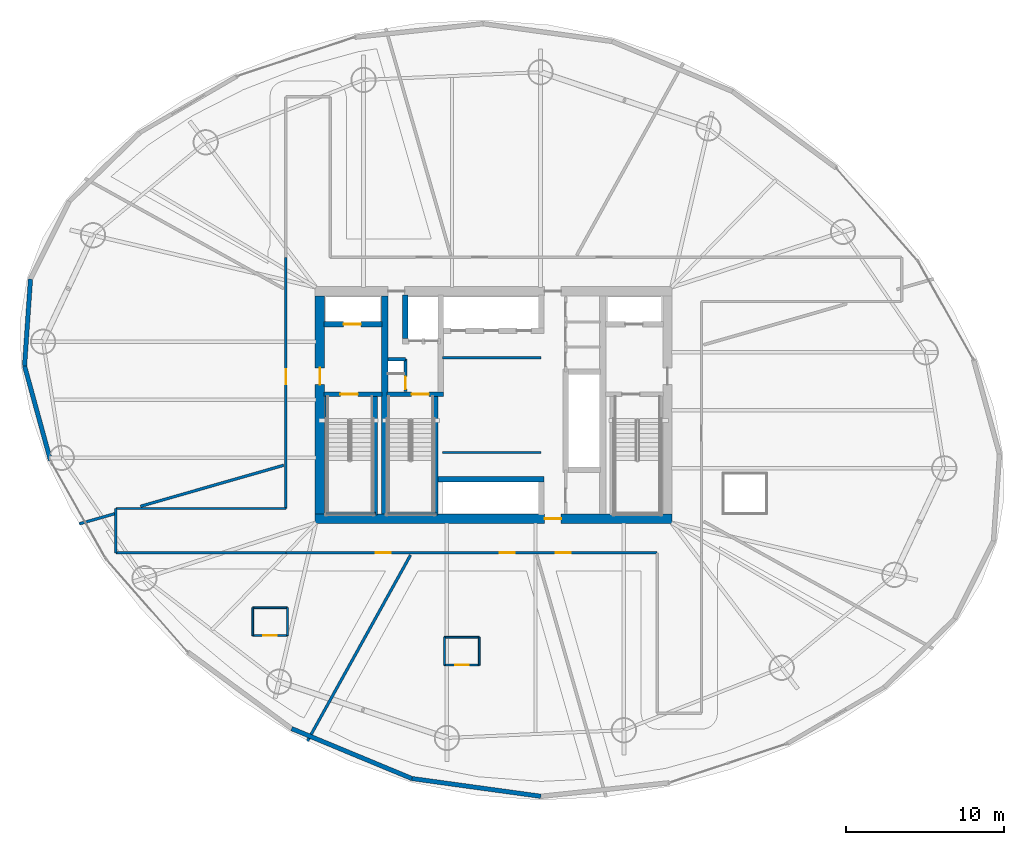
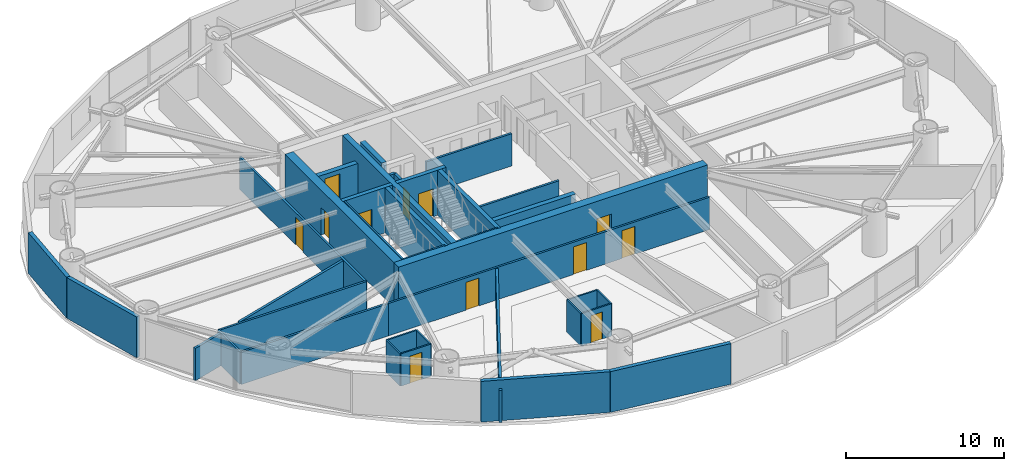
# One storey, part 18 of 25: 37 walls, 12 doors, 12 openings.
"""IFC4 building model written with IfcOpenShell, lengths in metres."""

from ifc_helpers import new_model, si_unit, direction, frame, frame_2d, origin, place, context, subcontext, project, spatial, rectangle, extrude, material, layer, layer_set, type_object, element, fill, save


model = new_model("IFC4")

# Units and contexts
model_context = context("Model", 3, precision=1e-05, world=origin(), true_north=direction((0.0, 1.0)))
body_context = subcontext(model_context, "Body", "Model", "MODEL_VIEW")
ifc_project = project(units=[si_unit("LENGTHUNIT", "METRE"), si_unit("AREAUNIT", "SQUARE_METRE"), si_unit("VOLUMEUNIT", "CUBIC_METRE"), si_unit("PLANEANGLEUNIT", "RADIAN"), si_unit("MASSUNIT", "GRAM", prefix="KILO")], contexts=[model_context])

# Site, building, storey
site_placement = place(None, origin())
site = spatial("IfcSite", under=ifc_project, at=site_placement, CompositionType="ELEMENT")
building_placement = place(site_placement, origin())
building = spatial("IfcBuilding", under=site, at=building_placement, Name="Bramvorn Convention Spire", CompositionType="ELEMENT")
storey_placement = place(building_placement, frame((0.0, 0.0, 93.89990234375)))
storey = spatial("IfcBuildingStorey", under=building, at=storey_placement, Name="L22", CompositionType="ELEMENT", Elevation=93.89990234375)

# Wall, opening, door
ifc_material_1 = material(Name="Concrete C60/70", Category="concrete")
ifc_layer_1 = layer(ifc_material_1, 0.60009765625)
ifc_layer_set_1 = layer_set([ifc_layer_1], Name="Concrete C60/70 - WL-CORE-600")
wall_type_1 = type_object("IfcWallType", Name="WL-CORE-600", PredefinedType="SHEAR", material=ifc_layer_set_1)
wall_1_placement = place(storey_placement, frame((26.699951171875, 18.800048828125, 0.0), z_axis=(0.0, 0.0, 1.0), x_axis=(1.0, 0.0, 0.0)))
wall_1 = element("IfcWall", 1, at=wall_1_placement, inside=storey, type_object=wall_type_1, Name="L22 South RC core shear wall", PredefinedType="SHEAR", context=body_context, shape_type="SweptSolid", body=[
    extrude(rectangle(XDim=22.60009765625, YDim=0.60009765625, at=frame_2d((11.300048828125, 0.0))), origin(), (0.0, 0.0, 1.0), 3.5),
])
opening_1_placement = place(wall_1_placement, frame((14.52001953125, 0.0, 0.0)))
opening_1 = element("IfcOpeningElement", 2, at=opening_1_placement, cuts=wall_1, Name="Opening DL-105", PredefinedType="OPENING", context=body_context, shape_type="SweptSolid", body=[
    extrude(rectangle(XDim=1.050048828125, YDim=2.14990234375, at=frame_2d((0.52490234375, 1.074951171875))), frame((0.0, 0.31005859375, 0.0), z_axis=(0.0, -1.0, 0.0), x_axis=(1.0, 0.0, 0.0)), (0.0, 0.0, 1.0), 0.6201171875),
])
ifc_material_2 = material(Name="Smoke-Sealed Fire Lobby Timber-Core Door", Category="wood")
door_type_1 = type_object("IfcDoorType", Name="DR-LOBBY-1050", OperationType="NOTDEFINED", PredefinedType="DOOR", material=ifc_material_2)
door_1_placement = place(opening_1_placement, origin())
door_1 = element("IfcDoor", 3, at=door_1_placement, inside=storey, type_object=door_type_1, Name="L22 South Lift Lobby fire door", OperationType="SINGLE_SWING_RIGHT", OverallHeight=2.14990234375, OverallWidth=1.050048828125, PredefinedType="DOOR", context=body_context, shape_type="SweptSolid", body=[
    extrude(rectangle(XDim=1.050048828125, YDim=2.14990234375, at=frame_2d((0.52490234375, 1.074951171875))), frame((0.0, 0.02490234375, 0.0), z_axis=(0.0, -1.0, 0.0), x_axis=(1.0, 0.0, 0.0)), (0.0, 0.0, 1.0), 0.050048828125),
])
fill(opening_1, door_1)

wall_2_placement = place(storey_placement, frame((27.0, 19.10009765625, 0.0), z_axis=(0.0, 0.0, 1.0), x_axis=(0.0, 1.0, 0.0)))
wall_2 = element("IfcWall", 4, at=wall_2_placement, inside=storey, type_object=wall_type_1, Name="L22 West RC core shear wall", PredefinedType="SHEAR", context=body_context, shape_type="SweptSolid", body=[
    extrude(rectangle(XDim=13.7998046875, YDim=0.60009765625, at=frame_2d((6.89990234375, 0.0))), origin(), (0.0, 0.0, 1.0), 3.5),
])
opening_2_placement = place(wall_2_placement, frame((8.199951171875, 0.0, 0.0)))
opening_2 = element("IfcOpeningElement", 5, at=opening_2_placement, cuts=wall_2, Name="Opening DL-105", PredefinedType="OPENING", context=body_context, shape_type="SweptSolid", body=[
    extrude(rectangle(XDim=1.050048828125, YDim=2.14990234375, at=frame_2d((0.52490234375, 1.074951171875))), frame((0.0, 0.31005859375, 0.0), z_axis=(0.0, -1.0, 0.0), x_axis=(1.0, 0.0, 0.0)), (0.0, 0.0, 1.0), 0.6201171875),
])
door_2_placement = place(opening_2_placement, origin())
door_2 = element("IfcDoor", 6, at=door_2_placement, inside=storey, type_object=door_type_1, Name="L22 West Firefighting Lobby corridor door", OperationType="SINGLE_SWING_RIGHT", OverallHeight=2.14990234375, OverallWidth=1.050048828125, PredefinedType="DOOR", context=body_context, shape_type="SweptSolid", body=[
    extrude(rectangle(XDim=1.050048828125, YDim=2.14990234375, at=frame_2d((0.52490234375, 1.074951171875))), frame((0.0, 0.02490234375, 0.0), z_axis=(0.0, -1.0, 0.0), x_axis=(1.0, 0.0, 0.0)), (0.0, 0.0, 1.0), 0.050048828125),
])
fill(opening_2, door_2)

ifc_material_3 = material(Name="Concrete C50/60", Category="concrete")
ifc_layer_2 = layer(ifc_material_3, 0.35009765625)
ifc_layer_set_2 = layer_set([ifc_layer_2], Name="Concrete C50/60 - WL-CORE-INT-350")
wall_type_2 = type_object("IfcWallType", Name="WL-CORE-INT-350", PredefinedType="SHEAR", material=ifc_layer_set_2)
wall_3_placement = place(storey_placement, frame((27.25, 31.1201171875, 0.0), z_axis=(0.0, 0.0, 1.0), x_axis=(1.0, 0.0, 0.0)))
wall_3 = element("IfcWall", 7, at=wall_3_placement, inside=storey, type_object=wall_type_2, Name="L22 FE1 shaft front wall", PredefinedType="SHEAR", context=body_context, shape_type="SweptSolid", body=[
    extrude(rectangle(XDim=3.669921875, YDim=0.35009765625, at=frame_2d((1.8349609375, 0.0))), origin(), (0.0, 0.0, 1.0), 2.5),
])
opening_3_placement = place(wall_3_placement, frame((1.25, 0.0, 0.0)))
opening_3 = element("IfcOpeningElement", 8, at=opening_3_placement, cuts=wall_3, Name="Opening LD-110", PredefinedType="OPENING", context=body_context, shape_type="SweptSolid", body=[
    extrude(rectangle(XDim=1.10009765625, YDim=2.14990234375, at=frame_2d((0.550048828125, 1.074951171875))), frame((0.0, 0.18505859375, 0.0), z_axis=(0.0, -1.0, 0.0), x_axis=(1.0, 0.0, 0.0)), (0.0, 0.0, 1.0), 0.3701171875),
])
ifc_material_4 = material(Name="Firefighting & Service Lift Sliding Landing Door", Category="steel")
door_type_2 = type_object("IfcDoorType", Name="DR-LIFT-LD-1100", OperationType="NOTDEFINED", PredefinedType="DOOR", material=ifc_material_4)
door_3_placement = place(opening_3_placement, origin())
door_3 = element("IfcDoor", 9, at=door_3_placement, inside=storey, type_object=door_type_2, Name="L22 Lift FE1 Sliding Landing Door", OperationType="SLIDING_TO_LEFT", OverallHeight=2.14990234375, OverallWidth=1.10009765625, PredefinedType="DOOR", context=body_context, shape_type="SweptSolid", body=[
    extrude(rectangle(XDim=1.10009765625, YDim=2.14990234375, at=frame_2d((0.550048828125, 1.074951171875))), frame((0.0, 0.02490234375, 0.0), z_axis=(0.0, -1.0, 0.0), x_axis=(1.0, 0.0, 0.0)), (0.0, 0.0, 1.0), 0.050048828125),
])
fill(opening_3, door_3)

# Walls
wall_4_placement = place(storey_placement, frame((32.39990234375, 30.219970703125, 0.0), z_axis=(0.0, 0.0, 1.0), x_axis=(0.0, 1.0, 0.0)))
element("IfcWall", 10, at=wall_4_placement, inside=storey, type_object=wall_type_2, Name="L22 SV1 west hoistway wall", PredefinedType="SHEAR", context=body_context, shape_type="SweptSolid", body=[
    extrude(rectangle(XDim=2.72998046875, YDim=0.35009765625, at=frame_2d((1.364990234375, 0.0))), origin(), (0.0, 0.0, 1.0), 2.5),
])
wall_5_placement = place(storey_placement, frame((34.489990234375, 21.300048828125, 0.0), z_axis=(0.0, 0.0, 1.0), x_axis=(1.0, 0.0, 0.0)))
element("IfcWall", 11, at=wall_5_placement, inside=storey, type_object=wall_type_2, Name="L22 Mid-rise bank north landing wall", PredefinedType="SHEAR", context=body_context, shape_type="SweptSolid", body=[
    extrude(rectangle(XDim=6.679931640625, YDim=0.35009765625, at=frame_2d((3.33984375, 0.0))), origin(), (0.0, 0.0, 1.0), 2.5),
])
ifc_layer_3 = layer(ifc_material_1, 0.39990234375)
ifc_layer_set_3 = layer_set([ifc_layer_3], Name="Concrete C60/70 - WL-CORE-INT-400")
wall_type_3 = type_object("IfcWallType", Name="WL-CORE-INT-400", PredefinedType="SHEAR", material=ifc_layer_set_3)
wall_6_placement = place(storey_placement, frame((31.10009765625, 19.10009765625, 0.0), z_axis=(0.0, 0.0, 1.0), x_axis=(0.0, 1.0, 0.0)))
element("IfcWall", 12, at=wall_6_placement, inside=storey, type_object=wall_type_3, Name="L22 West internal core shear web", PredefinedType="SHEAR", context=body_context, shape_type="SweptSolid", body=[
    extrude(rectangle(XDim=13.7998046875, YDim=0.39990234375, at=frame_2d((6.89990234375, 0.0))), origin(), (0.0, 0.0, 1.0), 3.5),
])
ifc_material_5 = material(Name="Precast Concrete C40/50 with Bronze Terracotta Rainscreen", Category="masonry")
ifc_layer_4 = layer(ifc_material_5, 0.300048828125)
ifc_layer_set_4 = layer_set([ifc_layer_4], Name="Precast Concrete C40/50 with Bronze Terracotta Rainscreen - WL-EXT-BRONZE-300")
wall_type_4 = type_object("IfcWallType", Name="WL-EXT-BRONZE-300", PredefinedType="SOLIDWALL", material=ifc_layer_set_4)
wall_7_placement = place(storey_placement, frame((8.3076171875, 28.480712890625, 0.0), z_axis=(0.0, 0.0, 1.0), x_axis=(0.068257968515, 0.997667705067, 0.0)))
element("IfcWall", 13, at=wall_7_placement, inside=storey, type_object=wall_type_4, Name="L22 expressed bronze Gothic lancet pier wall 13", PredefinedType="SOLIDWALL", context=body_context, shape_type="SweptSolid", body=[
    extrude(rectangle(XDim=5.49755859375, YDim=0.280029296875, at=frame_2d((2.748779296875, 0.0))), origin(), (0.0, 0.0, 1.0), 3.150146484375),
])
wall_8_placement = place(storey_placement, frame((9.94921875, 22.489501953125, 0.0), z_axis=(0.0, 0.0, 1.0), x_axis=(-0.264261187707, 0.96445115204, 0.0)))
element("IfcWall", 14, at=wall_8_placement, inside=storey, type_object=wall_type_4, Name="L22 expressed bronze Gothic lancet pier wall 14", PredefinedType="SOLIDWALL", context=body_context, shape_type="SweptSolid", body=[
    extrude(rectangle(XDim=6.212158203125, YDim=0.280029296875, at=frame_2d((3.10595703125, 0.0))), origin(), (0.0, 0.0, 1.0), 3.150146484375),
])
wall_9_placement = place(storey_placement, frame((32.82080078125, 2.360595703125, 0.0), z_axis=(0.0, 0.0, 1.0), x_axis=(-0.923498815139, 0.383601275333, 0.0)))
element("IfcWall", 15, at=wall_9_placement, inside=storey, type_object=wall_type_4, Name="L22 expressed bronze Gothic lancet pier wall 18", PredefinedType="SOLIDWALL", context=body_context, shape_type="SweptSolid", body=[
    extrude(rectangle(XDim=8.2412109375, YDim=0.280029296875, at=frame_2d((4.12060546875, 0.0))), origin(), (0.0, 0.0, 1.0), 3.150146484375),
])
wall_10_placement = place(storey_placement, frame((40.985107421875, 1.23583984375, 0.0), z_axis=(0.0, 0.0, 1.0), x_axis=(-0.990643377018, 0.136476003646, 0.0)))
element("IfcWall", 16, at=wall_10_placement, inside=storey, type_object=wall_type_4, Name="L22 expressed bronze Gothic lancet pier wall 19", PredefinedType="SOLIDWALL", context=body_context, shape_type="SweptSolid", body=[
    extrude(rectangle(XDim=8.241455078125, YDim=0.280029296875, at=frame_2d((4.12060546875, 0.0))), origin(), (0.0, 0.0, 1.0), 3.150146484375),
])

# Wall, opening, door
ifc_material_6 = material(Name="Lightweight En-Suite & Wet-Wall Partition", Category="gypsum")
ifc_layer_5 = layer(ifc_material_6, 0.110107421875)
ifc_layer_set_5 = layer_set([ifc_layer_5], Name="Lightweight En-Suite & Wet-Wall Partition - WL-PART-110")
wall_type_5 = type_object("IfcWallType", Name="WL-PART-110", PredefinedType="PARTITIONING", material=ifc_layer_set_5)
wall_11_placement = place(storey_placement, frame((22.746826171875, 11.41357421875, 0.0), z_axis=(0.0, 0.0, 1.0), x_axis=(1.0, 0.0, 0.0)))
wall_11 = element("IfcWall", 17, at=wall_11_placement, inside=storey, type_object=wall_type_5, Name="Hotel Suite 2205 en-suite south wall", PredefinedType="PARTITIONING", context=body_context, shape_type="SweptSolid", body=[
    extrude(rectangle(XDim=2.199951171875, YDim=0.110107421875, at=frame_2d((1.10009765625, 0.0))), origin(), (0.0, 0.0, 1.0), 2.5),
])
opening_4_placement = place(wall_11_placement, frame((0.679931640625, 0.0, 0.0)))
opening_4 = element("IfcOpeningElement", 18, at=opening_4_placement, cuts=wall_11, Name="Opening DI-085", PredefinedType="OPENING", context=body_context, shape_type="SweptSolid", body=[
    extrude(rectangle(XDim=0.85009765625, YDim=2.10009765625, at=frame_2d((0.425048828125, 1.050048828125))), frame((0.0, 0.06494140625, 0.0), z_axis=(0.0, -1.0, 0.0), x_axis=(1.0, 0.0, 0.0)), (0.0, 0.0, 1.0), 0.130126953125),
])
ifc_material_7 = material(Name="En-Suite & Restroom Privacy Door", Category="wood")
door_type_3 = type_object("IfcDoorType", Name="DR-INT-850", OperationType="NOTDEFINED", PredefinedType="DOOR", material=ifc_material_7)
door_4_placement = place(opening_4_placement, origin())
door_4 = element("IfcDoor", 19, at=door_4_placement, inside=storey, type_object=door_type_3, Name="Hotel Suite 2205 En-Suite Bathroom door", OperationType="SINGLE_SWING_LEFT", OverallHeight=2.10009765625, OverallWidth=0.85009765625, PredefinedType="DOOR", context=body_context, shape_type="SweptSolid", body=[
    extrude(rectangle(XDim=0.85009765625, YDim=2.10009765625, at=frame_2d((0.425048828125, 1.050048828125))), frame((0.0, 0.02490234375, 0.0), z_axis=(0.0, -1.0, 0.0), x_axis=(1.0, 0.0, 0.0)), (0.0, 0.0, 1.0), 0.050048828125),
])
fill(opening_4, door_4)

# Walls
wall_12_placement = place(storey_placement, frame((22.746826171875, 13.173583984375, 0.0), z_axis=(0.0, 0.0, 1.0), x_axis=(1.0, 0.0, 0.0)))
element("IfcWall", 20, at=wall_12_placement, inside=storey, type_object=wall_type_5, Name="Hotel Suite 2205 en-suite north wall", PredefinedType="PARTITIONING", context=body_context, shape_type="SweptSolid", body=[
    extrude(rectangle(XDim=2.199951171875, YDim=0.110107421875, at=frame_2d((1.10009765625, 0.0))), origin(), (0.0, 0.0, 1.0), 2.5),
])
for number, where, z_axis, x_axis, name in (
    (21, (22.746826171875, 11.41357421875, 0.0), (0.0, 0.0, 1.0), (0.0, 1.0, 0.0), "Hotel Suite 2205 en-suite west wall"),
    (22, (24.94677734375, 11.41357421875, 0.0), (0.0, 0.0, 1.0), (0.0, 1.0, 0.0), "Hotel Suite 2205 en-suite east wall"),
):
    element("IfcWall", number, at=place(storey_placement, frame(where, z_axis=z_axis, x_axis=x_axis)), inside=storey, type_object=wall_type_5, Name=name, PredefinedType="PARTITIONING", context=body_context, shape_type="SweptSolid", body=[
        extrude(rectangle(XDim=1.760009765625, YDim=0.110107421875, at=frame_2d((0.8798828125, 0.0))), origin(), (0.0, 0.0, 1.0), 2.5),
    ])

# Wall, opening, door
wall_13_placement = place(storey_placement, frame((34.87841796875, 9.546630859375, 0.0), z_axis=(0.0, 0.0, 1.0), x_axis=(1.0, 0.0, 0.0)))
wall_13 = element("IfcWall", 23, at=wall_13_placement, inside=storey, type_object=wall_type_5, Name="Hotel Suite 2206 en-suite south wall", PredefinedType="PARTITIONING", context=body_context, shape_type="SweptSolid", body=[
    extrude(rectangle(XDim=2.199951171875, YDim=0.110107421875, at=frame_2d((1.10009765625, 0.0))), origin(), (0.0, 0.0, 1.0), 2.5),
])
opening_5_placement = place(wall_13_placement, frame((0.679931640625, 0.0, 0.0)))
opening_5 = element("IfcOpeningElement", 24, at=opening_5_placement, cuts=wall_13, Name="Opening DI-085", PredefinedType="OPENING", context=body_context, shape_type="SweptSolid", body=[
    extrude(rectangle(XDim=0.85009765625, YDim=2.10009765625, at=frame_2d((0.425048828125, 1.050048828125))), frame((0.0, 0.06494140625, 0.0), z_axis=(0.0, -1.0, 0.0), x_axis=(1.0, 0.0, 0.0)), (0.0, 0.0, 1.0), 0.130126953125),
])
door_5_placement = place(opening_5_placement, origin())
door_5 = element("IfcDoor", 25, at=door_5_placement, inside=storey, type_object=door_type_3, Name="Hotel Suite 2206 En-Suite Bathroom door", OperationType="SINGLE_SWING_LEFT", OverallHeight=2.10009765625, OverallWidth=0.85009765625, PredefinedType="DOOR", context=body_context, shape_type="SweptSolid", body=[
    extrude(rectangle(XDim=0.85009765625, YDim=2.10009765625, at=frame_2d((0.425048828125, 1.050048828125))), frame((0.0, 0.02490234375, 0.0), z_axis=(0.0, -1.0, 0.0), x_axis=(1.0, 0.0, 0.0)), (0.0, 0.0, 1.0), 0.050048828125),
])
fill(opening_5, door_5)

# Walls
wall_14_placement = place(storey_placement, frame((34.87841796875, 11.306640625, 0.0), z_axis=(0.0, 0.0, 1.0), x_axis=(1.0, 0.0, 0.0)))
element("IfcWall", 26, at=wall_14_placement, inside=storey, type_object=wall_type_5, Name="Hotel Suite 2206 en-suite north wall", PredefinedType="PARTITIONING", context=body_context, shape_type="SweptSolid", body=[
    extrude(rectangle(XDim=2.199951171875, YDim=0.110107421875, at=frame_2d((1.10009765625, 0.0))), origin(), (0.0, 0.0, 1.0), 2.5),
])
for number, where, z_axis, x_axis, name in (
    (27, (34.87841796875, 9.546630859375, 0.0), (0.0, 0.0, 1.0), (0.0, 1.0, 0.0), "Hotel Suite 2206 en-suite west wall"),
    (28, (37.078369140625, 9.546630859375, 0.0), (0.0, 0.0, 1.0), (0.0, 1.0, 0.0), "Hotel Suite 2206 en-suite east wall"),
):
    element("IfcWall", number, at=place(storey_placement, frame(where, z_axis=z_axis, x_axis=x_axis)), inside=storey, type_object=wall_type_5, Name=name, PredefinedType="PARTITIONING", context=body_context, shape_type="SweptSolid", body=[
        extrude(rectangle(XDim=1.760009765625, YDim=0.110107421875, at=frame_2d((0.8798828125, 0.0))), origin(), (0.0, 0.0, 1.0), 2.5),
    ])
ifc_material_8 = material(Name="Acoustic Metal-Stud Tenant/Corridor Partition", Category="gypsum")
ifc_layer_6 = layer(ifc_material_8, 0.14990234375)
ifc_layer_set_6 = layer_set([ifc_layer_6], Name="Acoustic Metal-Stud Tenant/Corridor Partition - WL-PART-150")
wall_type_6 = type_object("IfcWallType", Name="WL-PART-150", PredefinedType="PARTITIONING", material=ifc_layer_set_6)
for number, where, z_axis, x_axis, name in (
    (29, (34.75, 29.0, 0.0), (0.0, 0.0, 1.0), (1.0, 0.0, 0.0), "L22 Low-rise lift vestibule south wall"),
    (30, (34.75, 23.0, 0.0), (0.0, 0.0, 1.0), (1.0, 0.0, 0.0), "L22 Mid-rise lift vestibule north wall"),
):
    element("IfcWall", number, at=place(storey_placement, frame(where, z_axis=z_axis, x_axis=x_axis)), inside=storey, type_object=wall_type_6, Name=name, PredefinedType="PARTITIONING", context=body_context, shape_type="SweptSolid", body=[
        extrude(rectangle(XDim=6.25, YDim=0.14990234375, at=frame_2d((3.125, 0.0))), origin(), (0.0, 0.0, 1.0), 2.5),
    ])

# Wall, openings, doors
wall_15_placement = place(storey_placement, frame((24.85009765625, 16.64990234375, 0.0), z_axis=(0.0, 0.0, 1.0), x_axis=(1.0, 0.0, 0.0)))
wall_15 = element("IfcWall", 31, at=wall_15_placement, inside=storey, type_object=wall_type_6, Name="L22 South ring corridor wall", PredefinedType="PARTITIONING", context=body_context, shape_type="SweptSolid", body=[
    extrude(rectangle(XDim=23.5, YDim=0.14990234375, at=frame_2d((11.75, 0.0))), origin(), (0.0, 0.0, 1.0), 2.5),
])
opening_6_placement = place(wall_15_placement, frame((5.673095703125, 0.0, 0.0)))
opening_6 = element("IfcOpeningElement", 32, at=opening_6_placement, cuts=wall_15, Name="Opening DH-095", PredefinedType="OPENING", context=body_context, shape_type="SweptSolid", body=[
    extrude(rectangle(XDim=0.949951171875, YDim=2.14990234375, at=frame_2d((0.47509765625, 1.074951171875))), frame((0.0, 0.0849609375, 0.0), z_axis=(0.0, -1.0, 0.0), x_axis=(1.0, 0.0, 0.0)), (0.0, 0.0, 1.0), 0.169921875),
])
opening_7_placement = place(wall_15_placement, frame((13.546875, 0.0, 0.0)))
opening_7 = element("IfcOpeningElement", 33, at=opening_7_placement, cuts=wall_15, Name="Opening DH-095", PredefinedType="OPENING", context=body_context, shape_type="SweptSolid", body=[
    extrude(rectangle(XDim=0.949951171875, YDim=2.14990234375, at=frame_2d((0.47509765625, 1.074951171875))), frame((0.0, 0.0849609375, 0.0), z_axis=(0.0, -1.0, 0.0), x_axis=(1.0, 0.0, 0.0)), (0.0, 0.0, 1.0), 0.169921875),
])
opening_8_placement = place(wall_15_placement, frame((17.076904296875, 0.0, 0.0)))
opening_8 = element("IfcOpeningElement", 34, at=opening_8_placement, cuts=wall_15, Name="Opening DH-095", PredefinedType="OPENING", context=body_context, shape_type="SweptSolid", body=[
    extrude(rectangle(XDim=0.949951171875, YDim=2.14990234375, at=frame_2d((0.47509765625, 1.074951171875))), frame((0.0, 0.0849609375, 0.0), z_axis=(0.0, -1.0, 0.0), x_axis=(1.0, 0.0, 0.0)), (0.0, 0.0, 1.0), 0.169921875),
])
ifc_material_9 = material(Name="Solid-Core Acoustic Guestroom Entry Door", Category="wood")
door_type_4 = type_object("IfcDoorType", Name="DR-HOTEL-950", OperationType="NOTDEFINED", PredefinedType="DOOR", material=ifc_material_9)
door_6_placement = place(opening_6_placement, origin())
door_6 = element("IfcDoor", 35, at=door_6_placement, inside=storey, type_object=door_type_4, Name="Hotel Suite 2205 entry door", OperationType="SINGLE_SWING_RIGHT", OverallHeight=2.14990234375, OverallWidth=0.949951171875, PredefinedType="DOOR", context=body_context, shape_type="SweptSolid", body=[
    extrude(rectangle(XDim=0.949951171875, YDim=2.14990234375, at=frame_2d((0.47509765625, 1.074951171875))), frame((0.0, 0.02490234375, 0.0), z_axis=(0.0, -1.0, 0.0), x_axis=(1.0, 0.0, 0.0)), (0.0, 0.0, 1.0), 0.050048828125),
])
fill(opening_6, door_6)
door_7_placement = place(opening_7_placement, origin())
door_7 = element("IfcDoor", 36, at=door_7_placement, inside=storey, type_object=door_type_4, Name="Hotel Suite 2206 entry door", OperationType="SINGLE_SWING_RIGHT", OverallHeight=2.14990234375, OverallWidth=0.949951171875, PredefinedType="DOOR", context=body_context, shape_type="SweptSolid", body=[
    extrude(rectangle(XDim=0.949951171875, YDim=2.14990234375, at=frame_2d((0.47509765625, 1.074951171875))), frame((0.0, 0.02490234375, 0.0), z_axis=(0.0, -1.0, 0.0), x_axis=(1.0, 0.0, 0.0)), (0.0, 0.0, 1.0), 0.050048828125),
])
fill(opening_7, door_7)
door_8_placement = place(opening_8_placement, origin())
door_8 = element("IfcDoor", 37, at=door_8_placement, inside=storey, type_object=door_type_4, Name="Hotel Suite 2207 entry door", OperationType="SINGLE_SWING_LEFT", OverallHeight=2.14990234375, OverallWidth=0.949951171875, PredefinedType="DOOR", context=body_context, shape_type="SweptSolid", body=[
    extrude(rectangle(XDim=0.949951171875, YDim=2.14990234375, at=frame_2d((0.47509765625, 1.074951171875))), frame((0.0, 0.02490234375, 0.0), z_axis=(0.0, -1.0, 0.0), x_axis=(1.0, 0.0, 0.0)), (0.0, 0.0, 1.0), 0.050048828125),
])
fill(opening_8, door_8)

# Wall, opening, door
wall_16_placement = place(storey_placement, frame((24.85009765625, 19.449951171875, 0.0), z_axis=(0.0, 0.0, 1.0), x_axis=(0.0, 1.0, 0.0)))
wall_16 = element("IfcWall", 38, at=wall_16_placement, inside=storey, type_object=wall_type_6, Name="L22 West ring corridor wall", PredefinedType="PARTITIONING", context=body_context, shape_type="SweptSolid", body=[
    extrude(rectangle(XDim=15.900146484375, YDim=0.14990234375, at=frame_2d((7.9501953125, 0.0))), origin(), (0.0, 0.0, 1.0), 2.5),
])
opening_9_placement = place(wall_16_placement, frame((7.851806640625, 0.0, 0.0)))
opening_9 = element("IfcOpeningElement", 39, at=opening_9_placement, cuts=wall_16, Name="Opening DH-095", PredefinedType="OPENING", context=body_context, shape_type="SweptSolid", body=[
    extrude(rectangle(XDim=0.949951171875, YDim=2.14990234375, at=frame_2d((0.47509765625, 1.074951171875))), frame((0.0, 0.0849609375, 0.0), z_axis=(0.0, -1.0, 0.0), x_axis=(1.0, 0.0, 0.0)), (0.0, 0.0, 1.0), 0.169921875),
])
door_9_placement = place(opening_9_placement, origin())
door_9 = element("IfcDoor", 40, at=door_9_placement, inside=storey, type_object=door_type_4, Name="L22 Hospitality Salon 4 door", OperationType="SINGLE_SWING_LEFT", OverallHeight=2.14990234375, OverallWidth=0.949951171875, PredefinedType="DOOR", context=body_context, shape_type="SweptSolid", body=[
    extrude(rectangle(XDim=0.949951171875, YDim=2.14990234375, at=frame_2d((0.47509765625, 1.074951171875))), frame((0.0, 0.02490234375, 0.0), z_axis=(0.0, -1.0, 0.0), x_axis=(1.0, 0.0, 0.0)), (0.0, 0.0, 1.0), 0.050048828125),
])
fill(opening_9, door_9)

# Walls
for number, where, z_axis, x_axis, name in (
    (41, (14.0908203125, 19.449951171875, 0.0), (0.0, 0.0, 1.0), (1.0, 0.0, 0.0), "L22 SW pinwheel wing north wall"),
    (42, (14.0908203125, 16.64990234375, 0.0), (0.0, 0.0, 1.0), (1.0, 0.0, 0.0), "L22 SW pinwheel wing south wall"),
):
    element("IfcWall", number, at=place(storey_placement, frame(where, z_axis=z_axis, x_axis=x_axis)), inside=storey, type_object=wall_type_6, Name=name, PredefinedType="PARTITIONING", context=body_context, shape_type="SweptSolid", body=[
        extrude(rectangle(XDim=10.75927734375, YDim=0.14990234375, at=frame_2d((5.379638671875, 0.0))), origin(), (0.0, 0.0, 1.0), 2.5),
    ])
wall_17_placement = place(storey_placement, frame((14.0908203125, 16.64990234375, 0.0), z_axis=(0.0, 0.0, 1.0), x_axis=(0.0, 1.0, 0.0)))
element("IfcWall", 43, at=wall_17_placement, inside=storey, type_object=wall_type_6, Name="L22 SW pinwheel end wall", PredefinedType="PARTITIONING", context=body_context, shape_type="SweptSolid", body=[
    extrude(rectangle(XDim=2.800048828125, YDim=0.14990234375, at=frame_2d((1.39990234375, 0.0))), origin(), (0.0, 0.0, 1.0), 2.5),
])
ifc_material_10 = material(Name="Double-Stud Acoustic Hotel/Suite Partition", Category="gypsum")
ifc_layer_7 = layer(ifc_material_10, 0.175048828125)
ifc_layer_set_7 = layer_set([ifc_layer_7], Name="Double-Stud Acoustic Hotel/Suite Partition - WL-PART-175")
wall_type_7 = type_object("IfcWallType", Name="WL-PART-175", PredefinedType="PARTITIONING", material=ifc_layer_set_7)
wall_18_placement = place(storey_placement, frame((24.7099609375, 22.189208984375, 0.0), z_axis=(0.0, 0.0, 1.0), x_axis=(-0.961261668066, -0.275637453019, 0.0)))
element("IfcWall", 44, at=wall_18_placement, inside=storey, type_object=wall_type_7, Name="L22 Guestroom demising wall 5", PredefinedType="PARTITIONING", context=body_context, shape_type="SweptSolid", body=[
    extrude(rectangle(XDim=9.429443359375, YDim=0.175048828125, at=frame_2d((4.71484375, 0.0))), origin(), (0.0, 0.0, 1.0), 2.5),
])
wall_19_placement = place(storey_placement, frame((14.114990234375, 19.151123046875, 0.0), z_axis=(0.0, 0.0, 1.0), x_axis=(-0.961267280853, -0.275617878159, 0.0)))
element("IfcWall", 45, at=wall_19_placement, inside=storey, type_object=wall_type_7, Name="L22 Guestroom demising wall 5", PredefinedType="PARTITIONING", context=body_context, shape_type="SweptSolid", body=[
    extrude(rectangle(XDim=2.44482421875, YDim=0.175048828125, at=frame_2d((1.222412109375, 0.0))), origin(), (0.0, 0.0, 1.0), 2.5),
])
wall_20_placement = place(storey_placement, frame((32.739501953125, 16.510009765625, 0.0), z_axis=(0.0, 0.0, 1.0), x_axis=(-0.484809935616, -0.874619532327, 0.0)))
element("IfcWall", 46, at=wall_20_placement, inside=storey, type_object=wall_type_7, Name="L22 Guestroom demising wall 6", PredefinedType="PARTITIONING", context=body_context, shape_type="SweptSolid", body=[
    extrude(rectangle(XDim=13.46630859375, YDim=0.175048828125, at=frame_2d((6.733154296875, 0.0))), origin(), (0.0, 0.0, 1.0), 2.5),
])

# Wall, opening, door
ifc_material_11 = material(Name="Gypsum Shaftwall & Rockwool Core Partition", Category="gypsum")
ifc_layer_8 = layer(ifc_material_11, 0.199951171875)
ifc_layer_set_8 = layer_set([ifc_layer_8], Name="Gypsum Shaftwall & Rockwool Core Partition - WL-PART-200-FR")
wall_type_8 = type_object("IfcWallType", Name="WL-PART-200-FR", PredefinedType="PARTITIONING", material=ifc_layer_set_8)
wall_21_placement = place(storey_placement, frame((32.419921875, 26.860107421875, 0.0), z_axis=(0.0, 0.0, 1.0), x_axis=(0.0, 1.0, 0.0)))
wall_21 = element("IfcWall", 47, at=wall_21_placement, inside=storey, type_object=wall_type_8, Name="L22 Telecom riser east wall", PredefinedType="PARTITIONING", context=body_context, shape_type="SweptSolid", body=[
    extrude(rectangle(XDim=2.039794921875, YDim=0.199951171875, at=frame_2d((1.02001953125, 0.0))), origin(), (0.0, 0.0, 1.0), 2.5),
])
opening_10_placement = place(wall_21_placement, frame((0.139892578125, 0.0, 0.0)))
opening_10 = element("IfcOpeningElement", 48, at=opening_10_placement, cuts=wall_21, Name="Opening DR-080", PredefinedType="OPENING", context=body_context, shape_type="SweptSolid", body=[
    extrude(rectangle(XDim=0.800048828125, YDim=2.050048828125, at=frame_2d((0.39990234375, 1.02490234375))), frame((0.0, 0.10986328125, 0.0), z_axis=(0.0, -1.0, 0.0), x_axis=(1.0, 0.0, 0.0)), (0.0, 0.0, 1.0), 0.219970703125),
])
ifc_material_12 = material(Name="Flush Steel Riser Access Door", Category="steel")
door_type_5 = type_object("IfcDoorType", Name="DR-RISER-800", OperationType="NOTDEFINED", PredefinedType="DOOR", material=ifc_material_12)
door_10_placement = place(opening_10_placement, origin())
door_10 = element("IfcDoor", 49, at=door_10_placement, inside=storey, type_object=door_type_5, Name="L22 Telecom riser access door", OperationType="SINGLE_SWING_RIGHT", OverallHeight=2.050048828125, OverallWidth=0.800048828125, PredefinedType="DOOR", context=body_context, shape_type="SweptSolid", body=[
    extrude(rectangle(XDim=0.800048828125, YDim=2.050048828125, at=frame_2d((0.39990234375, 1.02490234375))), frame((0.0, 0.02490234375, 0.0), z_axis=(0.0, -1.0, 0.0), x_axis=(1.0, 0.0, 0.0)), (0.0, 0.0, 1.0), 0.050048828125),
])
fill(opening_10, door_10)

# Wall
wall_22_placement = place(storey_placement, frame((31.300048828125, 28.89990234375, 0.0), z_axis=(0.0, 0.0, 1.0), x_axis=(1.0, 0.0, 0.0)))
element("IfcWall", 50, at=wall_22_placement, inside=storey, type_object=wall_type_8, Name="L22 Telecom riser north wall", PredefinedType="PARTITIONING", context=body_context, shape_type="SweptSolid", body=[
    extrude(rectangle(XDim=1.119873046875, YDim=0.199951171875, at=frame_2d((0.56005859375, 0.0))), origin(), (0.0, 0.0, 1.0), 2.5),
])

# Wall, opening, door
ifc_layer_9 = layer(ifc_material_3, 0.300048828125)
ifc_layer_set_9 = layer_set([ifc_layer_9], Name="Concrete C50/60 - WL-POD-STAIR-300")
wall_type_9 = type_object("IfcWallType", Name="WL-POD-STAIR-300", PredefinedType="SHEAR", material=ifc_layer_set_9)
wall_23_placement = place(storey_placement, frame((27.25, 26.68994140625, 0.0), z_axis=(0.0, 0.0, 1.0), x_axis=(1.0, 0.0, 0.0)))
wall_23 = element("IfcWall", 51, at=wall_23_placement, inside=storey, type_object=wall_type_9, Name="L22 ST1 north fire wall", PredefinedType="SHEAR", context=body_context, shape_type="SweptSolid", body=[
    extrude(rectangle(XDim=3.669921875, YDim=0.300048828125, at=frame_2d((1.8349609375, 0.0))), origin(), (0.0, 0.0, 1.0), 3.5),
])
opening_11_placement = place(wall_23_placement, frame((1.050048828125, 0.0, 0.0)))
opening_11 = element("IfcOpeningElement", 52, at=opening_11_placement, cuts=wall_23, Name="Opening DS-110", PredefinedType="OPENING", context=body_context, shape_type="SweptSolid", body=[
    extrude(rectangle(XDim=1.10009765625, YDim=2.14990234375, at=frame_2d((0.550048828125, 1.074951171875))), frame((0.0, 0.159912109375, 0.0), z_axis=(0.0, -1.0, 0.0), x_axis=(1.0, 0.0, 0.0)), (0.0, 0.0, 1.0), 0.320068359375),
])
ifc_material_13 = material(Name="Fire-Rated Hollow Steel Stairwell Door", Category="steel")
door_type_6 = type_object("IfcDoorType", Name="DR-STAIR-1100", OperationType="NOTDEFINED", PredefinedType="DOOR", material=ifc_material_13)
door_11_placement = place(opening_11_placement, origin())
door_11 = element("IfcDoor", 53, at=door_11_placement, inside=storey, type_object=door_type_6, Name="L22 Stair ST1 fire door", OperationType="SINGLE_SWING_LEFT", OverallHeight=2.14990234375, OverallWidth=1.10009765625, PredefinedType="DOOR", context=body_context, shape_type="SweptSolid", body=[
    extrude(rectangle(XDim=1.10009765625, YDim=2.14990234375, at=frame_2d((0.550048828125, 1.074951171875))), frame((0.0, 0.02490234375, 0.0), z_axis=(0.0, -1.0, 0.0), x_axis=(1.0, 0.0, 0.0)), (0.0, 0.0, 1.0), 0.050048828125),
])
fill(opening_11, door_11)

# Walls
for number, where, z_axis, x_axis, name in (
    (54, (30.489990234375, 19.050048828125, 0.0), (0.0, 0.0, 1.0), (0.0, 1.0, 0.0), "L22 ST1 east bearing wall"),
    (55, (34.340087890625, 19.050048828125, 0.0), (0.0, 0.0, 1.0), (0.0, 1.0, 0.0), "L22 ST3 east bearing wall"),
):
    element("IfcWall", number, at=place(storey_placement, frame(where, z_axis=z_axis, x_axis=x_axis)), inside=storey, type_object=wall_type_9, Name=name, PredefinedType="SHEAR", context=body_context, shape_type="SweptSolid", body=[
        extrude(rectangle(XDim=7.5, YDim=0.300048828125, at=frame_2d((3.75, 0.0))), origin(), (0.0, 0.0, 1.0), 3.5),
    ])

# Wall, opening, door
wall_24_placement = place(storey_placement, frame((31.25, 26.68994140625, 0.0), z_axis=(0.0, 0.0, 1.0), x_axis=(1.0, 0.0, 0.0)))
wall_24 = element("IfcWall", 56, at=wall_24_placement, inside=storey, type_object=wall_type_9, Name="L22 ST3 north lobby wall", PredefinedType="SHEAR", context=body_context, shape_type="SweptSolid", body=[
    extrude(rectangle(XDim=3.56005859375, YDim=0.300048828125, at=frame_2d((1.780029296875, 0.0))), origin(), (0.0, 0.0, 1.0), 3.5),
])
opening_12_placement = place(wall_24_placement, frame((1.550048828125, 0.0, 0.0)))
opening_12 = element("IfcOpeningElement", 57, at=opening_12_placement, cuts=wall_24, Name="Opening DS-110", PredefinedType="OPENING", context=body_context, shape_type="SweptSolid", body=[
    extrude(rectangle(XDim=1.10009765625, YDim=2.14990234375, at=frame_2d((0.550048828125, 1.074951171875))), frame((0.0, 0.159912109375, 0.0), z_axis=(0.0, -1.0, 0.0), x_axis=(1.0, 0.0, 0.0)), (0.0, 0.0, 1.0), 0.320068359375),
])
door_12_placement = place(opening_12_placement, origin())
door_12 = element("IfcDoor", 58, at=door_12_placement, inside=storey, type_object=door_type_6, Name="L22 Stair ST3 fire door", OperationType="SINGLE_SWING_LEFT", OverallHeight=2.14990234375, OverallWidth=1.10009765625, PredefinedType="DOOR", context=body_context, shape_type="SweptSolid", body=[
    extrude(rectangle(XDim=1.10009765625, YDim=2.14990234375, at=frame_2d((0.550048828125, 1.074951171875))), frame((0.0, 0.02490234375, 0.0), z_axis=(0.0, -1.0, 0.0), x_axis=(1.0, 0.0, 0.0)), (0.0, 0.0, 1.0), 0.050048828125),
])
fill(opening_12, door_12)

# Walls
ifc_layer_10 = layer(ifc_material_3, 0.1201171875)
ifc_layer_set_10 = layer_set([ifc_layer_10], Name="Concrete C50/60 - WL-STAIR-RC-120")
wall_type_10 = type_object("IfcWallType", Name="WL-STAIR-RC-120", PredefinedType="SHEAR", material=ifc_layer_set_10)
wall_25_placement = place(storey_placement, frame((27.39501953125, 19.10009765625, 0.0), z_axis=(0.0, 0.0, 1.0), x_axis=(0.0, 1.0, 0.0)))
element("IfcWall", 59, at=wall_25_placement, inside=storey, type_object=wall_type_10, Name="L22 ST1 west bearing shear wall", PredefinedType="SHEAR", context=body_context, shape_type="SweptSolid", body=[
    extrude(rectangle(XDim=7.449951171875, YDim=0.1201171875, at=frame_2d((3.72509765625, 0.0))), origin(), (0.0, 0.0, 1.0), 3.5),
])
wall_26_placement = place(storey_placement, frame((27.39501953125, 19.159912109375, 0.0), z_axis=(0.0, 0.0, 1.0), x_axis=(1.0, 0.0, 0.0)))
element("IfcWall", 60, at=wall_26_placement, inside=storey, type_object=wall_type_10, Name="L22 ST1 south bearing shear wall", PredefinedType="SHEAR", context=body_context, shape_type="SweptSolid", body=[
    extrude(rectangle(XDim=3.094970703125, YDim=0.1201171875, at=frame_2d((1.54736328125, 0.0))), origin(), (0.0, 0.0, 1.0), 3.5),
])
wall_27_placement = place(storey_placement, frame((31.300048828125, 19.159912109375, 0.0), z_axis=(0.0, 0.0, 1.0), x_axis=(1.0, 0.0, 0.0)))
element("IfcWall", 61, at=wall_27_placement, inside=storey, type_object=wall_type_10, Name="L22 ST3 south bearing shear wall", PredefinedType="SHEAR", context=body_context, shape_type="SweptSolid", body=[
    extrude(rectangle(XDim=3.0400390625, YDim=0.1201171875, at=frame_2d((1.52001953125, 0.0))), origin(), (0.0, 0.0, 1.0), 3.5),
])

save(model, "model.ifc")
